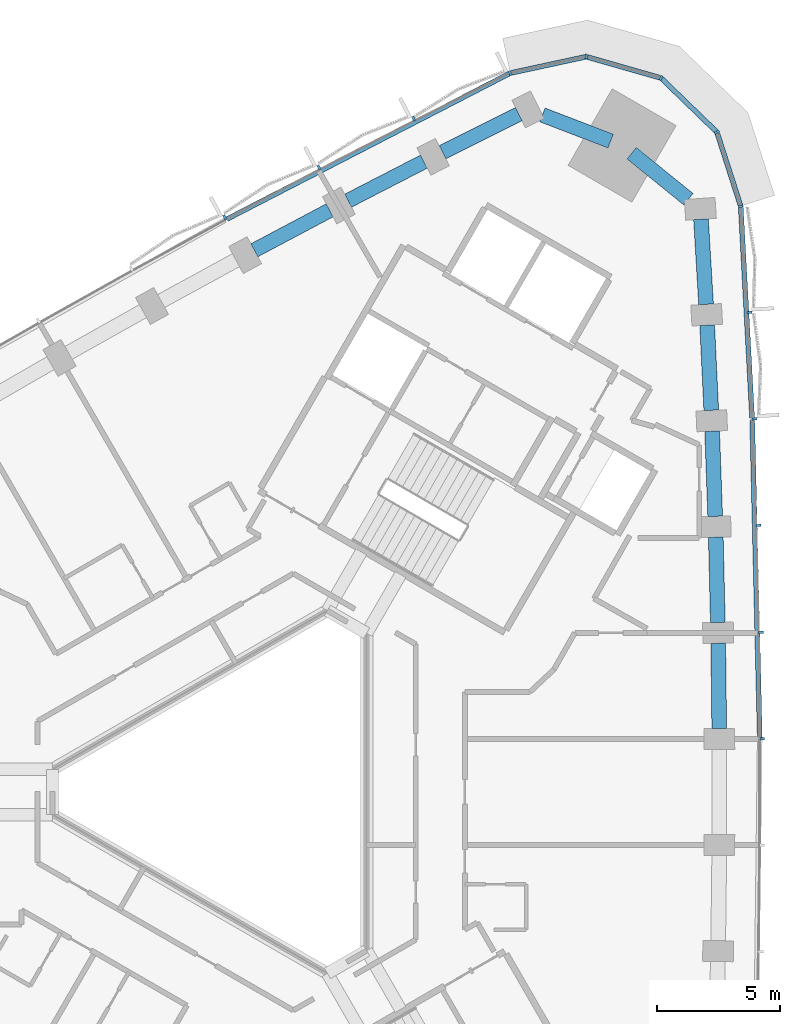
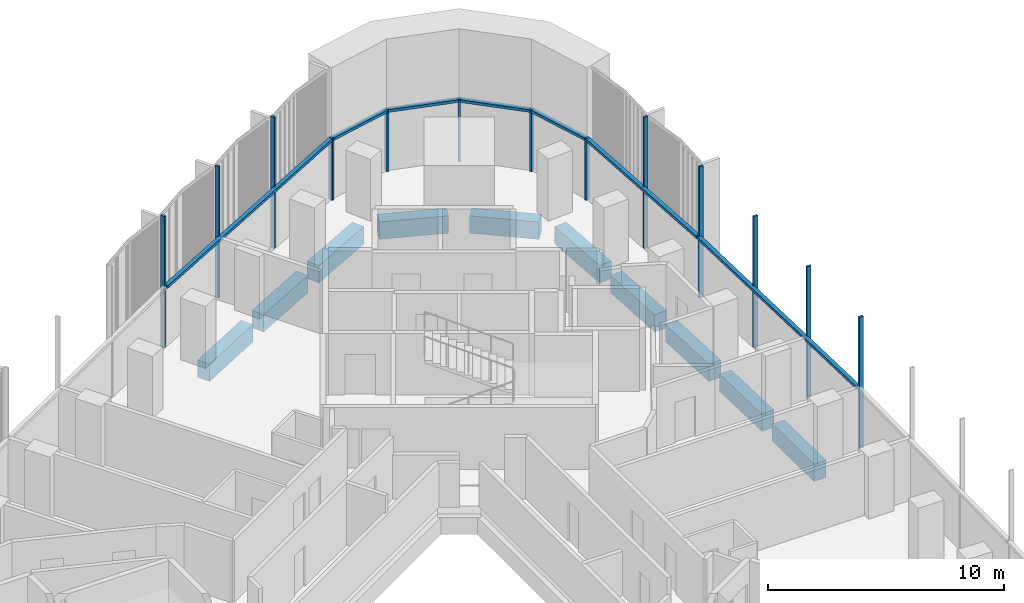
# One storey, part 5 of 15: 20 members, 10 beams, 2 elements without a shape of their own.
"""IFC4 building model written with IfcOpenShell, lengths in metres."""

from ifc_helpers import new_model, si_unit, direction, frame, origin, origin_2d, place, context, subcontext, project, spatial, rectangle, extrude, material, material_profile, profile_set, type_object, element, aggregate, save


model = new_model("IFC4")

# Units and contexts
model_context = context("Model", 3, precision=1e-05, world=origin(), true_north=direction((0.0, 1.0)))
body_context = subcontext(model_context, "Body", "Model", "MODEL_VIEW")
ifc_project = project(units=[si_unit("LENGTHUNIT", "METRE"), si_unit("AREAUNIT", "SQUARE_METRE"), si_unit("VOLUMEUNIT", "CUBIC_METRE"), si_unit("PLANEANGLEUNIT", "RADIAN"), si_unit("MASSUNIT", "GRAM", prefix="KILO")], contexts=[model_context])

# Site, building, storey
site_placement = place(None, origin())
site = spatial("IfcSite", under=ifc_project, at=site_placement, CompositionType="ELEMENT")
building_placement = place(site_placement, origin())
building = spatial("IfcBuilding", under=site, at=building_placement, Name="Tamra Quay Hotel Tower", CompositionType="ELEMENT")
storey_placement = place(building_placement, frame((0.0, 0.0, 128.800048828125)))
storey = spatial("IfcBuildingStorey", under=building, at=storey_placement, Name="L31", CompositionType="ELEMENT", Elevation=128.800048828125)

# Curtain wall, members
ifc_material_1 = material(Name="Aluminium 6063 anodised dark grey", Category="aluminium")
curtain_wall_type_1 = type_object("IfcCurtainWallType", Name="CW1 CURTAIN WALL", PredefinedType="NOTDEFINED", material=ifc_material_1)
curtain_wall_1_placement = place(storey_placement, origin())
curtain_wall_1 = element("IfcCurtainWall", 1, at=curtain_wall_1_placement, inside=storey, type_object=curtain_wall_type_1, Name="CW1 east face L31", PredefinedType="NOTDEFINED")
ifc_material_profile_1 = material_profile(ifc_material_1, rectangle(XDim=0.199951171875, YDim=0.10009765625, at=origin_2d()), Name="MULLION 100X200")
ifc_profile_set_1 = profile_set([ifc_material_profile_1], Name="Aluminium 6063 anodised dark grey")
member_type_1 = type_object("IfcMemberType", Name="MULLION CW1 Z3", PredefinedType="MULLION", material=ifc_profile_set_1)
member_1_placement = place(storey_placement, frame((20.919677734375, 2.171875, 0.0), z_axis=(0.0, 0.0, 1.0), x_axis=(0.99998212789, 0.005978620244, 0.0)))
member_1 = element("IfcMember", 2, at=member_1_placement, type_object=member_type_1, Name="CW1 mullion L31.E.7", PredefinedType="MULLION", context=body_context, shape_type="SweptSolid", body=[
    extrude(rectangle(XDim=0.199951171875, YDim=0.10009765625, at=origin_2d()), origin(), (0.0, 0.0, 1.0), 6.800048828125),
])
member_2_placement = place(storey_placement, frame((20.867919921875, 6.514404296875, 0.0), z_axis=(0.0, 0.0, 1.0), x_axis=(0.999839299777, 0.017926924493, 0.0)))
member_2 = element("IfcMember", 3, at=member_2_placement, type_object=member_type_1, Name="CW1 mullion L31.E.8", PredefinedType="MULLION", context=body_context, shape_type="SweptSolid", body=[
    extrude(rectangle(XDim=0.199951171875, YDim=0.10009765625, at=origin_2d()), origin(), (0.0, 0.0, 1.0), 6.800048828125),
])
member_3_placement = place(storey_placement, frame((20.763916015625, 10.857177734375, 0.0), z_axis=(0.0, 0.0, 1.0), x_axis=(0.999553759324, 0.029871093397, 0.0)))
member_3 = element("IfcMember", 4, at=member_3_placement, type_object=member_type_1, Name="CW1 mullion L31.E.9", PredefinedType="MULLION", context=body_context, shape_type="SweptSolid", body=[
    extrude(rectangle(XDim=0.199951171875, YDim=0.10009765625, at=origin_2d()), origin(), (0.0, 0.0, 1.0), 6.800048828125),
])
member_4_placement = place(storey_placement, frame((20.6083984375, 15.197998046875, 0.0), z_axis=(0.0, 0.0, 1.0), x_axis=(0.999126133482, 0.041796762943, 0.0)))
member_4 = element("IfcMember", 5, at=member_4_placement, type_object=member_type_1, Name="CW1 mullion L31.E.10", PredefinedType="MULLION", context=body_context, shape_type="SweptSolid", body=[
    extrude(rectangle(XDim=0.199951171875, YDim=0.10009765625, at=origin_2d()), origin(), (0.0, 0.0, 1.0), 6.800048828125),
])
member_5_placement = place(storey_placement, frame((20.40087890625, 19.5361328125, 0.0), z_axis=(0.0, 0.0, 1.0), x_axis=(0.998557357992, 0.053695463492, 0.0)))
member_5 = element("IfcMember", 6, at=member_5_placement, type_object=member_type_1, Name="CW1 mullion L31.E.11", PredefinedType="MULLION", context=body_context, shape_type="SweptSolid", body=[
    extrude(rectangle(XDim=0.199951171875, YDim=0.10009765625, at=origin_2d()), origin(), (0.0, 0.0, 1.0), 6.800048828125),
])
member_6_placement = place(storey_placement, frame((20.042236328125, 23.864990234375, 0.0), z_axis=(0.0, 0.0, 1.0), x_axis=(0.982883191402, 0.184229834881, 0.0)))
member_6 = element("IfcMember", 7, at=member_6_placement, type_object=member_type_1, Name="CW1 mullion L31.E.12", PredefinedType="MULLION", context=body_context, shape_type="SweptSolid", body=[
    extrude(rectangle(XDim=0.199951171875, YDim=0.10009765625, at=origin_2d()), origin(), (0.0, 0.0, 1.0), 3.199951171875),
])
member_7_placement = place(storey_placement, frame((19.072265625, 26.883544921875, 0.0), z_axis=(0.0, 0.0, 1.0), x_axis=(0.849197833806, 0.52807484229, 0.0)))
member_7 = element("IfcMember", 8, at=member_7_placement, type_object=member_type_1, Name="CW1 mullion L31.E.13", PredefinedType="MULLION", context=body_context, shape_type="SweptSolid", body=[
    extrude(rectangle(XDim=0.199951171875, YDim=0.10009765625, at=origin_2d()), origin(), (0.0, 0.0, 1.0), 3.199951171875),
])
member_8_placement = place(storey_placement, frame((16.794189453125, 29.088134765625, 0.0), z_axis=(0.0, 0.0, 1.0), x_axis=(0.5, 0.866025403784, 0.0)))
member_8 = element("IfcMember", 9, at=member_8_placement, type_object=member_type_1, Name="CW1 mullion L31.E.14", PredefinedType="MULLION", context=body_context, shape_type="SweptSolid", body=[
    extrude(rectangle(XDim=0.199951171875, YDim=0.10009765625, at=origin_2d()), origin(), (0.0, 0.0, 1.0), 3.199951171875),
])
member_9_placement = place(storey_placement, frame((13.74560546875, 29.958740234375, 0.0), z_axis=(0.0, 0.0, 1.0), x_axis=(0.032727311619, 0.99946431806, 0.0)))
member_9 = element("IfcMember", 10, at=member_9_placement, type_object=member_type_1, Name="CW1 mullion L31.E.15", PredefinedType="MULLION", context=body_context, shape_type="SweptSolid", body=[
    extrude(rectangle(XDim=0.199951171875, YDim=0.10009765625, at=origin_2d()), origin(), (0.0, 0.0, 1.0), 3.199951171875),
])

curtain_wall_type_2 = type_object("IfcCurtainWallType", Name="CW2 CURTAIN WALL", PredefinedType="NOTDEFINED", material=ifc_material_1)
curtain_wall_2_placement = place(storey_placement, origin())
curtain_wall_2 = element("IfcCurtainWall", 11, at=curtain_wall_2_placement, inside=storey, type_object=curtain_wall_type_2, Name="CW2 north-west face L31", PredefinedType="NOTDEFINED")
ifc_material_profile_2 = material_profile(ifc_material_1, rectangle(XDim=0.199951171875, YDim=0.10009765625, at=origin_2d()), Name="MULLION 100X200")
ifc_profile_set_2 = profile_set([ifc_material_profile_2], Name="Aluminium 6063 anodised dark grey")
member_type_2 = type_object("IfcMemberType", Name="MULLION CW2 Z3", PredefinedType="MULLION", material=ifc_profile_set_2)
member_10_placement = place(storey_placement, frame((10.646728515625, 29.28955078125, 0.0), z_axis=(0.0, 0.0, 1.0), x_axis=(-0.331893878559, 0.943316730147, 0.0)))
member_10 = element("IfcMember", 12, at=member_10_placement, type_object=member_type_2, Name="CW2 mullion L31.NW.1", PredefinedType="MULLION", context=body_context, shape_type="SweptSolid", body=[
    extrude(rectangle(XDim=0.199951171875, YDim=0.10009765625, at=origin_2d()), origin(), (0.0, 0.0, 1.0), 3.199951171875),
])
member_11_placement = place(storey_placement, frame((6.71826171875, 27.435791015625, 0.0), z_axis=(0.0, 0.0, 1.0), x_axis=(-0.452777043544, 0.891623770903, 0.0)))
member_11 = element("IfcMember", 13, at=member_11_placement, type_object=member_type_2, Name="CW2 mullion L31.NW.2", PredefinedType="MULLION", context=body_context, shape_type="SweptSolid", body=[
    extrude(rectangle(XDim=0.199951171875, YDim=0.10009765625, at=origin_2d()), origin(), (0.0, 0.0, 1.0), 6.800048828125),
])
member_12_placement = place(storey_placement, frame((2.85791015625, 25.4462890625, 0.0), z_axis=(0.0, 0.0, 1.0), x_axis=(-0.463366008237, 0.886166994652, 0.0)))
member_12 = element("IfcMember", 14, at=member_12_placement, type_object=member_type_2, Name="CW2 mullion L31.NW.3", PredefinedType="MULLION", context=body_context, shape_type="SweptSolid", body=[
    extrude(rectangle(XDim=0.199951171875, YDim=0.10009765625, at=origin_2d()), origin(), (0.0, 0.0, 1.0), 6.800048828125),
])
member_13_placement = place(storey_placement, frame((-0.9794921875, 23.41064453125, 0.0), z_axis=(0.0, 0.0, 1.0), x_axis=(-0.473907753941, 0.880574494722, 0.0)))
member_13 = element("IfcMember", 15, at=member_13_placement, type_object=member_type_2, Name="CW2 mullion L31.NW.4", PredefinedType="MULLION", context=body_context, shape_type="SweptSolid", body=[
    extrude(rectangle(XDim=0.199951171875, YDim=0.10009765625, at=origin_2d()), origin(), (0.0, 0.0, 1.0), 6.800048828125),
])

# Beams
ifc_material_2 = material(Name="Concrete M60", Category="concrete")
ifc_material_profile_3 = material_profile(ifc_material_2, rectangle(XDim=0.60009765625, YDim=0.89990234375, at=origin_2d()), Name="SPANDREL BEAM RC 600x900")
ifc_profile_set_3 = profile_set([ifc_material_profile_3], Name="Concrete M60")
beam_type = type_object("IfcBeamType", Name="SPANDREL BEAM RC 600x900", PredefinedType="SPANDREL", material=ifc_profile_set_3)
beam_1_placement = place(storey_placement, frame((19.165771484375, 2.586181640625, -0.85009765625), z_axis=(-0.011951617666, 0.999928576867, 0.0), x_axis=(-0.999928576867, -0.011951617666, 0.0)))
element("IfcBeam", 16, at=beam_1_placement, inside=storey, type_object=beam_type, Name="BM-SP3-006-L31", PredefinedType="SPANDREL", context=body_context, shape_type="SweptSolid", body=[
    extrude(rectangle(XDim=0.60009765625, YDim=0.89990234375, at=origin_2d()), origin(), (0.0, 0.0, 1.0), 3.47265625),
])
beam_2_placement = place(storey_placement, frame((19.10888671875, 6.90869140625, -0.85009765625), z_axis=(-0.023906514803, 0.999714198434, 0.0), x_axis=(-0.999714198434, -0.023906514803, 0.0)))
element("IfcBeam", 17, at=beam_2_placement, inside=storey, type_object=beam_type, Name="BM-SP3-007-L31", PredefinedType="SPANDREL", context=body_context, shape_type="SweptSolid", body=[
    extrude(rectangle(XDim=0.60009765625, YDim=0.89990234375, at=origin_2d()), origin(), (0.0, 0.0, 1.0), 3.47216796875),
])
beam_3_placement = place(storey_placement, frame((19.00048828125, 11.2294921875, -0.85009765625), z_axis=(-0.035786826945, 0.999359446354, 0.0), x_axis=(-0.999359446354, -0.035786826945, 0.0)))
element("IfcBeam", 18, at=beam_3_placement, inside=storey, type_object=beam_type, Name="BM-SP3-008-L31", PredefinedType="SPANDREL", context=body_context, shape_type="SweptSolid", body=[
    extrude(rectangle(XDim=0.60009765625, YDim=0.89990234375, at=origin_2d()), origin(), (0.0, 0.0, 1.0), 3.472412109375),
])
beam_4_placement = place(storey_placement, frame((18.840576171875, 15.548828125, -0.85009765625), z_axis=(-0.047732145575, 0.998860171535, 0.0), x_axis=(-0.998860171535, -0.047732145575, 0.0)))
element("IfcBeam", 19, at=beam_4_placement, inside=storey, type_object=beam_type, Name="BM-SP3-009-L31", PredefinedType="SPANDREL", context=body_context, shape_type="SweptSolid", body=[
    extrude(rectangle(XDim=0.60009765625, YDim=0.89990234375, at=origin_2d()), origin(), (0.0, 0.0, 1.0), 3.472900390625),
])
beam_5_placement = place(storey_placement, frame((18.629150390625, 19.86669921875, -0.85009765625), z_axis=(-0.059620475238, 0.998221117254, 0.0), x_axis=(-0.998221117254, -0.059620475238, 0.0)))
element("IfcBeam", 20, at=beam_5_placement, inside=storey, type_object=beam_type, Name="BM-SP3-010-L31", PredefinedType="SPANDREL", context=body_context, shape_type="SweptSolid", body=[
    extrude(rectangle(XDim=0.60009765625, YDim=0.89990234375, at=origin_2d()), origin(), (0.0, 0.0, 1.0), 3.472412109375),
])
beam_6_placement = place(storey_placement, frame((17.909912109375, 24.151123046875, -0.85009765625), z_axis=(-0.777183767602, 0.629273701482, 0.0), x_axis=(-0.629273701482, -0.777183767602, 0.0)))
element("IfcBeam", 21, at=beam_6_placement, inside=storey, type_object=beam_type, Name="BM-SP3-011-L31", PredefinedType="SPANDREL", context=body_context, shape_type="SweptSolid", body=[
    extrude(rectangle(XDim=0.60009765625, YDim=0.89990234375, at=origin_2d()), origin(), (0.0, 0.0, 1.0), 2.977783203125),
])
beam_7_placement = place(storey_placement, frame((14.74072265625, 26.5185546875, -0.85009765625), z_axis=(-0.933527198951, 0.358506581278, 0.0), x_axis=(-0.358506581278, -0.933527198951, 0.0)))
element("IfcBeam", 22, at=beam_7_placement, inside=storey, type_object=beam_type, Name="BM-SP3-012-L31", PredefinedType="SPANDREL", context=body_context, shape_type="SweptSolid", body=[
    extrude(rectangle(XDim=0.60009765625, YDim=0.89990234375, at=origin_2d()), origin(), (0.0, 0.0, 1.0), 2.97802734375),
])
beam_8_placement = place(storey_placement, frame((10.995849609375, 27.620361328125, -0.85009765625), z_axis=(-0.894314670292, -0.447438566174, 0.0), x_axis=(0.447438566174, -0.894314670292, 0.0)))
element("IfcBeam", 23, at=beam_8_placement, inside=storey, type_object=beam_type, Name="BM-SP3-013-L31", PredefinedType="SPANDREL", context=body_context, shape_type="SweptSolid", body=[
    extrude(rectangle(XDim=0.60009765625, YDim=0.89990234375, at=origin_2d()), origin(), (0.0, 0.0, 1.0), 3.472412109375),
])
beam_9_placement = place(storey_placement, frame((7.132568359375, 25.681640625, -0.85009765625), z_axis=(-0.888919913451, -0.458062645792, 0.0), x_axis=(0.458062645792, -0.888919913451, 0.0)))
element("IfcBeam", 24, at=beam_9_placement, inside=storey, type_object=beam_type, Name="BM-SP3-014-L31", PredefinedType="SPANDREL", context=body_context, shape_type="SweptSolid", body=[
    extrude(rectangle(XDim=0.60009765625, YDim=0.89990234375, at=origin_2d()), origin(), (0.0, 0.0, 1.0), 3.472900390625),
])
beam_10_placement = place(storey_placement, frame((3.292236328125, 23.697021484375, -0.85009765625), z_axis=(-0.883411391477, -0.468598243071, 0.0), x_axis=(0.468598243071, -0.883411391477, 0.0)))
element("IfcBeam", 25, at=beam_10_placement, inside=storey, type_object=beam_type, Name="BM-SP3-015-L31", PredefinedType="SPANDREL", context=body_context, shape_type="SweptSolid", body=[
    extrude(rectangle(XDim=0.60009765625, YDim=0.89990234375, at=origin_2d()), origin(), (0.0, 0.0, 1.0), 3.472412109375),
])

# Member
ifc_material_profile_4 = material_profile(ifc_material_1, rectangle(XDim=0.199951171875, YDim=0.139892578125, at=origin_2d()), Name="TRANSOM 200X140")
ifc_profile_set_4 = profile_set([ifc_material_profile_4], Name="Aluminium 6063 anodised dark grey")
member_type_3 = type_object("IfcMemberType", Name="TRANSOM CW1 Z3", PredefinedType="USERDEFINED", material=ifc_profile_set_4)
member_14_placement = place(storey_placement, frame((20.819091796875, 2.22119140625, 3.1298828125), z_axis=(-0.023891765039, 0.999714551041, 0.0), x_axis=(-0.999714551041, -0.023891765039, 0.0)))
member_14 = element("IfcMember", 26, at=member_14_placement, type_object=member_type_3, Name="CW1 transom L31.E.7", ObjectType="TRANSOM", PredefinedType="USERDEFINED", context=body_context, shape_type="SweptSolid", body=[
    extrude(rectangle(XDim=0.199951171875, YDim=0.139892578125, at=origin_2d()), origin(), (0.0, 0.0, 1.0), 12.926513671875),
])

member_15_placement = place(storey_placement, frame((20.506103515625, 15.243896484375, 3.1298828125), z_axis=(-0.053699324936, 0.998557150343, 0.0), x_axis=(-0.998557150343, -0.053699324936, 0.0)))
member_15 = element("IfcMember", 27, at=member_15_placement, type_object=member_type_3, Name="CW1 transom L31.E.10", ObjectType="TRANSOM", PredefinedType="USERDEFINED", context=body_context, shape_type="SweptSolid", body=[
    extrude(rectangle(XDim=0.199951171875, YDim=0.139892578125, at=origin_2d()), origin(), (0.0, 0.0, 1.0), 8.583740234375),
])

member_16_placement = place(storey_placement, frame((20.02685546875, 23.91259765625, 3.1298828125), z_axis=(-0.30588048859, 0.952069916918, 0.0), x_axis=(-0.952069916918, -0.30588048859, 0.0)))
member_16 = element("IfcMember", 28, at=member_16_placement, type_object=member_type_3, Name="CW1 transom L31.E.12", ObjectType="TRANSOM", PredefinedType="USERDEFINED", context=body_context, shape_type="SweptSolid", body=[
    extrude(rectangle(XDim=0.199951171875, YDim=0.139892578125, at=origin_2d()), origin(), (0.0, 0.0, 1.0), 3.070556640625),
])

member_17_placement = place(storey_placement, frame((19.036376953125, 26.918212890625, 3.1298828125), z_axis=(-0.71858163235, 0.695442619955, 0.0), x_axis=(-0.695442619955, -0.71858163235, 0.0)))
member_17 = element("IfcMember", 29, at=member_17_placement, type_object=member_type_3, Name="CW1 transom L31.E.13", ObjectType="TRANSOM", PredefinedType="USERDEFINED", context=body_context, shape_type="SweptSolid", body=[
    extrude(rectangle(XDim=0.199951171875, YDim=0.139892578125, at=origin_2d()), origin(), (0.0, 0.0, 1.0), 3.0703125),
])

member_18_placement = place(storey_placement, frame((16.74609375, 29.10205078125, 3.1298828125), z_axis=(-0.961568942949, 0.274563595469, 0.0), x_axis=(-0.274563595469, -0.961568942949, 0.0)))
member_18 = element("IfcMember", 30, at=member_18_placement, type_object=member_type_3, Name="CW1 transom L31.E.14", ObjectType="TRANSOM", PredefinedType="USERDEFINED", context=body_context, shape_type="SweptSolid", body=[
    extrude(rectangle(XDim=0.199951171875, YDim=0.139892578125, at=origin_2d()), origin(), (0.0, 0.0, 1.0), 3.0703125),
])

member_19_placement = place(storey_placement, frame((13.69677734375, 29.9482421875, 3.1298828125), z_axis=(-0.977462525021, -0.211109005445, 0.0), x_axis=(0.211109005445, -0.977462525021, 0.0)))
member_19 = element("IfcMember", 31, at=member_19_placement, type_object=member_type_3, Name="CW1 transom L31.E.15", ObjectType="TRANSOM", PredefinedType="USERDEFINED", context=body_context, shape_type="SweptSolid", body=[
    extrude(rectangle(XDim=0.199951171875, YDim=0.139892578125, at=origin_2d()), origin(), (0.0, 0.0, 1.0), 3.0703125),
])

aggregate(curtain_wall_1, [member_1, member_14, member_2, member_3, member_4, member_15, member_5, member_6, member_16, member_7, member_17, member_8, member_18, member_9, member_19])

ifc_material_profile_5 = material_profile(ifc_material_1, rectangle(XDim=0.199951171875, YDim=0.139892578125, at=origin_2d()), Name="TRANSOM 200X140")
ifc_profile_set_5 = profile_set([ifc_material_profile_5], Name="Aluminium 6063 anodised dark grey")
member_type_4 = type_object("IfcMemberType", Name="TRANSOM CW2 Z3", PredefinedType="USERDEFINED", material=ifc_profile_set_5)
member_20_placement = place(storey_placement, frame((10.60205078125, 29.26708984375, 3.1298828125), z_axis=(-0.888917461153, -0.45806740471, 0.0), x_axis=(0.45806740471, -0.888917461153, 0.0)))
member_20 = element("IfcMember", 32, at=member_20_placement, type_object=member_type_4, Name="CW2 transom L31.NW.1", ObjectType="TRANSOM", PredefinedType="USERDEFINED", context=body_context, shape_type="SweptSolid", body=[
    extrude(rectangle(XDim=0.199951171875, YDim=0.139892578125, at=origin_2d()), origin(), (0.0, 0.0, 1.0), 12.92578125),
])

aggregate(curtain_wall_2, [member_10, member_20, member_11, member_12, member_13])

save(model, "model.ifc")
